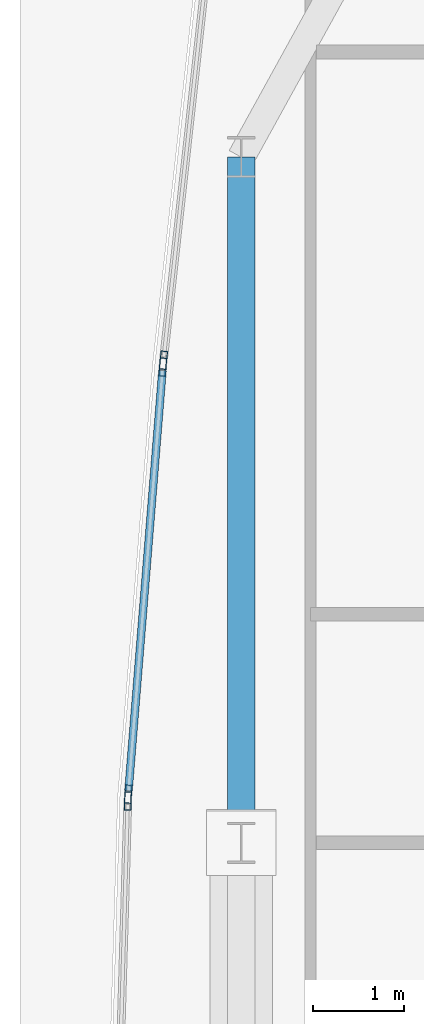
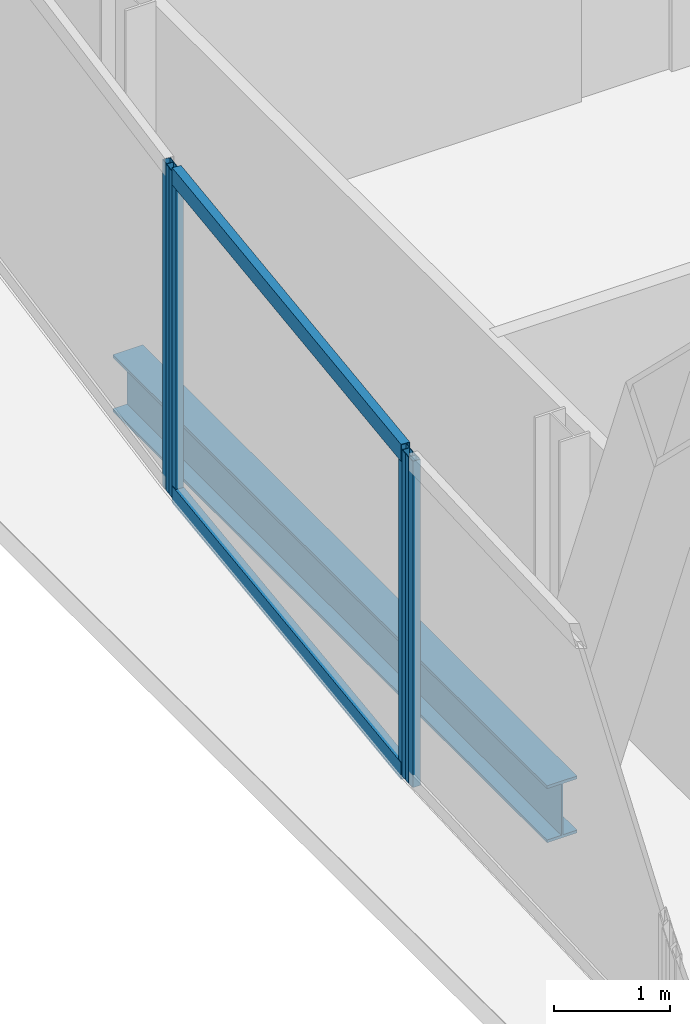
# One storey, part 12 of 30: 6 members, 1 beam, 3 elements without a shape of their own.
"""IFC4 building model written with IfcOpenShell, lengths in metres."""

from ifc_helpers import new_model, si_unit, direction, frame, origin, origin_2d, place, context, subcontext, project, spatial, hollow_rectangle, i_section, extrude, material, material_profile, profile_set, type_object, element, aggregate, save


model = new_model("IFC4")

# Units and contexts
model_context = context("Model", 3, precision=1e-05, world=origin(), true_north=direction((0.0, 1.0)))
body_context = subcontext(model_context, "Body", "Model", "MODEL_VIEW")
ifc_project = project(units=[si_unit("LENGTHUNIT", "METRE"), si_unit("AREAUNIT", "SQUARE_METRE"), si_unit("VOLUMEUNIT", "CUBIC_METRE"), si_unit("PLANEANGLEUNIT", "RADIAN"), si_unit("MASSUNIT", "GRAM", prefix="KILO")], contexts=[model_context])

# Site, building, storey
site_placement = place(None, origin())
site = spatial("IfcSite", under=ifc_project, at=site_placement, CompositionType="ELEMENT")
building_placement = place(site_placement, origin())
building = spatial("IfcBuilding", under=site, at=building_placement, Name="Khoronbel Lancet Exchange", CompositionType="ELEMENT")
storey_placement = place(building_placement, frame((0.0, 0.0, 239.0)))
storey = spatial("IfcBuildingStorey", under=building, at=storey_placement, Name="L61", CompositionType="ELEMENT", Elevation=239.0)

# Beam
ifc_material_1 = material(Name="Steel S355", Category="steel")
ifc_material_profile_1 = material_profile(ifc_material_1, i_section(OverallWidth=0.300048828125, OverallDepth=0.60009765625, WebThickness=0.015380859375, FlangeThickness=0.030029296875, at=origin_2d()), Name="HEB 600")
ifc_profile_set_1 = profile_set([ifc_material_profile_1], Name="Steel S355")
beam_type = type_object("IfcBeamType", Name="BM-BSP2", PredefinedType="SPANDREL", material=ifc_profile_set_1)
beam_placement = place(storey_placement, frame((9.27001953125, 43.199951171875, -0.4599609375), z_axis=(0.0, -1.0, 0.0), x_axis=(1.0, 0.0, 0.0)))
element("IfcBeam", 1, at=beam_placement, inside=storey, type_object=beam_type, Name="Level L61 perimeter spandrel beam SP15", PredefinedType="SPANDREL", context=body_context, shape_type="SweptSolid", body=[
    extrude(i_section(OverallWidth=0.300048828125, OverallDepth=0.60009765625, WebThickness=0.015380859375, FlangeThickness=0.030029296875, at=origin_2d()), origin(), (0.0, 0.0, 1.0), 7.5),
])

# Curtain wall, member
ifc_material_2 = material(Name="Low-E Solar Control Insulating Glass", Category="glass")
curtain_wall_type = type_object("IfcCurtainWallType", Name="CW-4", PredefinedType="NOTDEFINED", material=ifc_material_2)
curtain_wall_1_placement = place(storey_placement, origin())
curtain_wall_1 = element("IfcCurtainWall", 2, at=curtain_wall_1_placement, inside=storey, type_object=curtain_wall_type, Name="Unitised curtain wall CW-L61-E07", PredefinedType="NOTDEFINED")
ifc_material_3 = material(Name="Bronze-Anodised Aluminium 6063-T6", Category="aluminium")
ifc_material_profile_2 = material_profile(ifc_material_3, hollow_rectangle(XDim=0.074951171875, YDim=0.199951171875, WallThickness=0.0048828125, at=origin_2d()), Name="ALU MULLION 75x200")
ifc_profile_set_2 = profile_set([ifc_material_profile_2], Name="Bronze-Anodised Aluminium 6063-T6")
member_type_1 = type_object("IfcMemberType", Name="MEM-CWM2", PredefinedType="MULLION", material=ifc_profile_set_2)
member_1_placement = place(storey_placement, frame((8.029541015625, 36.157470703125, 0.0), z_axis=(0.0, 0.0, 1.0), x_axis=(-0.999561285143, 0.029618191076, 0.0)))
member_1 = element("IfcMember", 3, at=member_1_placement, type_object=member_type_1, Name="CW4 mullion 2", PredefinedType="MULLION", context=body_context, shape_type="SweptSolid", body=[
    extrude(hollow_rectangle(XDim=0.074951171875, YDim=0.199951171875, WallThickness=0.0048828125, at=origin_2d()), origin(), (0.0, 0.0, 1.0), 3.43994140625),
])
aggregate(curtain_wall_1, [member_1])

# Curtain wall, members
curtain_wall_2_placement = place(storey_placement, origin())
curtain_wall_2 = element("IfcCurtainWall", 4, at=curtain_wall_2_placement, inside=storey, type_object=curtain_wall_type, Name="Unitised curtain wall CW-L61-E08", PredefinedType="NOTDEFINED")
member_2_placement = place(storey_placement, frame((8.03369140625, 36.232421875, 0.0), z_axis=(0.0, 0.0, 1.0), x_axis=(-0.996743296731, 0.080639943095, 0.0)))
member_2 = element("IfcMember", 5, at=member_2_placement, type_object=member_type_1, Name="CW4 mullion 1", PredefinedType="MULLION", context=body_context, shape_type="SweptSolid", body=[
    extrude(hollow_rectangle(XDim=0.074951171875, YDim=0.199951171875, WallThickness=0.0048828125, at=origin_2d()), origin(), (0.0, 0.0, 1.0), 3.43994140625),
])
member_3_placement = place(storey_placement, frame((8.41162109375, 40.904052734375, 0.0), z_axis=(0.0, 0.0, 1.0), x_axis=(-0.996743296731, 0.080639943095, 0.0)))
member_3 = element("IfcMember", 6, at=member_3_placement, type_object=member_type_1, Name="CW4 mullion 2", PredefinedType="MULLION", context=body_context, shape_type="SweptSolid", body=[
    extrude(hollow_rectangle(XDim=0.074951171875, YDim=0.199951171875, WallThickness=0.0048828125, at=origin_2d()), origin(), (0.0, 0.0, 1.0), 3.43994140625),
])

# Curtain wall, member
curtain_wall_3_placement = place(storey_placement, origin())
curtain_wall_3 = element("IfcCurtainWall", 7, at=curtain_wall_3_placement, inside=storey, type_object=curtain_wall_type, Name="Unitised curtain wall CW-L61-E09", PredefinedType="NOTDEFINED")
member_4_placement = place(storey_placement, frame((8.418701171875, 40.978759765625, 0.0), z_axis=(0.0, 0.0, 1.0), x_axis=(-0.993947317123, 0.109857775256, 0.0)))
member_4 = element("IfcMember", 8, at=member_4_placement, type_object=member_type_1, Name="CW4 mullion 1", PredefinedType="MULLION", context=body_context, shape_type="SweptSolid", body=[
    extrude(hollow_rectangle(XDim=0.074951171875, YDim=0.199951171875, WallThickness=0.0048828125, at=origin_2d()), origin(), (0.0, 0.0, 1.0), 3.43994140625),
])
aggregate(curtain_wall_3, [member_4])

# Member
ifc_material_profile_3 = material_profile(ifc_material_3, hollow_rectangle(XDim=0.0849609375, YDim=0.179931640625, WallThickness=0.0048828125, at=origin_2d()), Name="ALU TRANSOM 85x180")
ifc_profile_set_3 = profile_set([ifc_material_profile_3], Name="Bronze-Anodised Aluminium 6063-T6")
member_type_2 = type_object("IfcMemberType", Name="MEM-CWT1", PredefinedType="USERDEFINED", material=ifc_profile_set_3)
member_5_placement = place(storey_placement, frame((8.03662109375, 36.269775390625, 0.04248046875), z_axis=(0.080622560017, 0.996744702929, 0.0), x_axis=(-0.996744702929, 0.080622560017, 0.0)))
member_5 = element("IfcMember", 9, at=member_5_placement, type_object=member_type_2, Name="CW4 transom 1.1", ObjectType="TRANSOM", PredefinedType="USERDEFINED", context=body_context, shape_type="SweptSolid", body=[
    extrude(hollow_rectangle(XDim=0.0849609375, YDim=0.179931640625, WallThickness=0.0048828125, at=origin_2d()), origin(), (0.0, 0.0, 1.0), 4.61181640625),
])

member_6_placement = place(storey_placement, frame((8.03662109375, 36.269775390625, 3.3974609375), z_axis=(0.080622560017, 0.996744702929, 0.0), x_axis=(-0.996744702929, 0.080622560017, 0.0)))
member_6 = element("IfcMember", 10, at=member_6_placement, type_object=member_type_2, Name="CW4 transom 1.2", ObjectType="TRANSOM", PredefinedType="USERDEFINED", context=body_context, shape_type="SweptSolid", body=[
    extrude(hollow_rectangle(XDim=0.0849609375, YDim=0.179931640625, WallThickness=0.0048828125, at=origin_2d()), origin(), (0.0, 0.0, 1.0), 4.61181640625),
])

aggregate(curtain_wall_2, [member_2, member_3, member_5, member_6])

save(model, "model.ifc")
